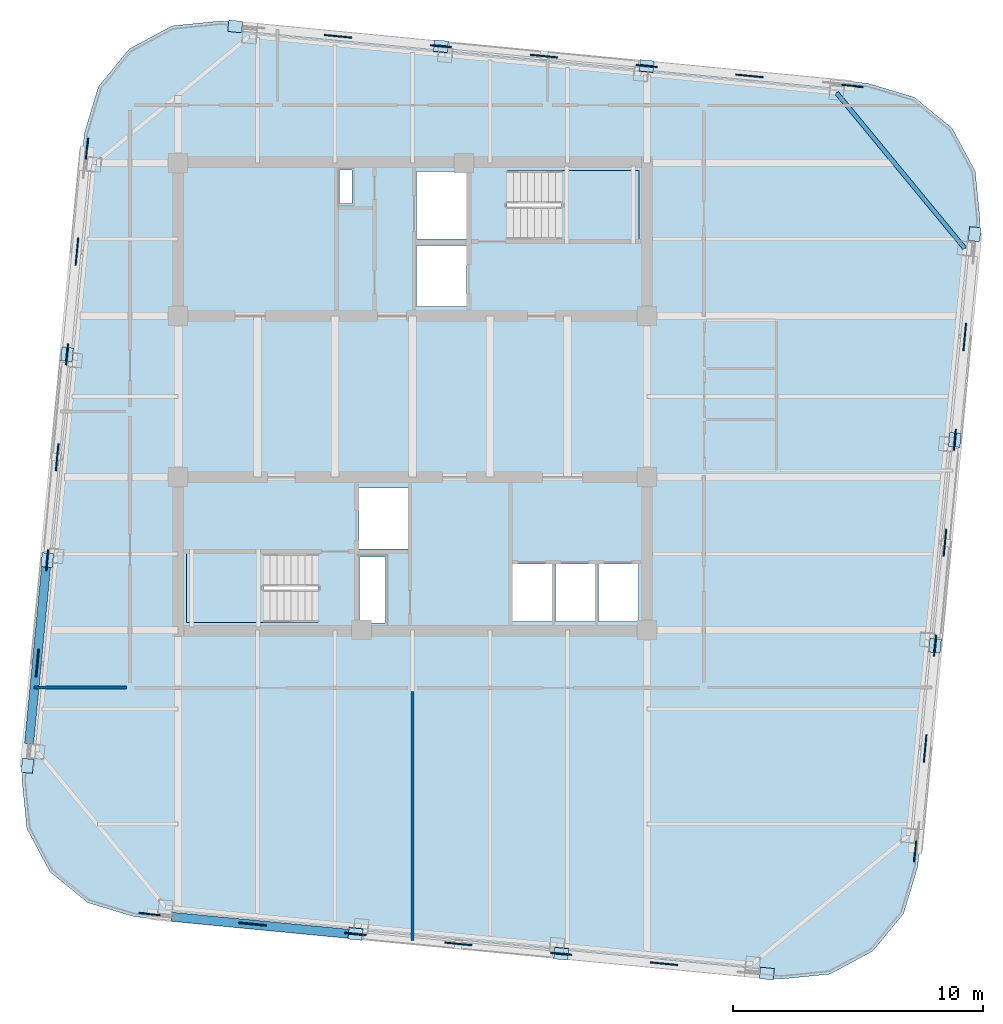
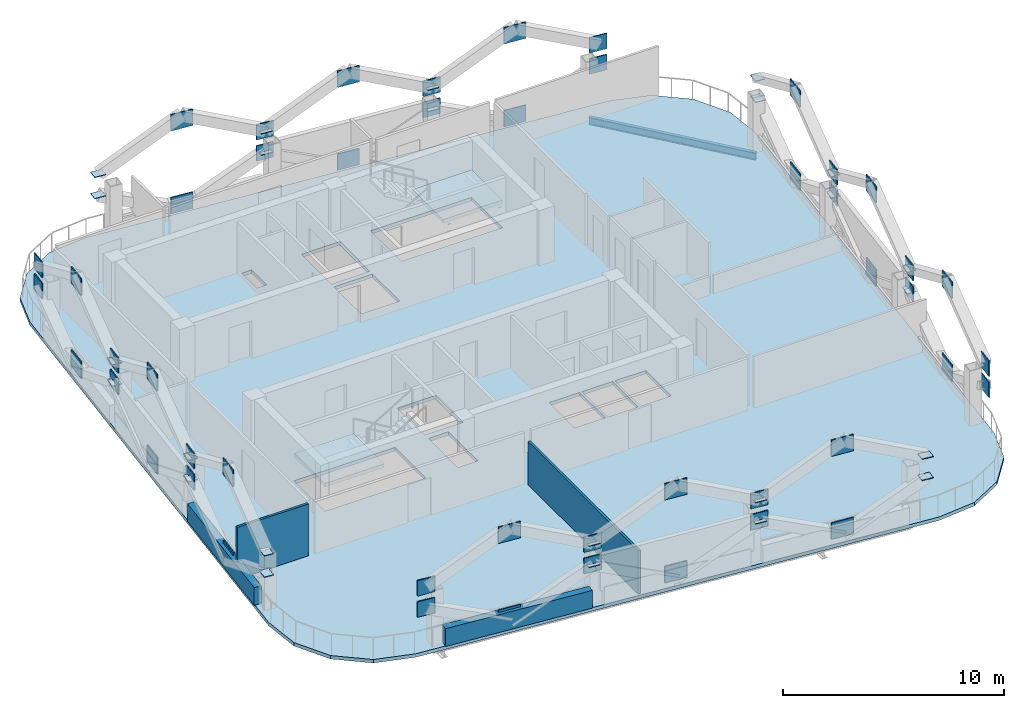
# One storey, part 3 of 10: 72 plates, 4 walls, 3 slabs, 1 beam, 2 elements without a shape of their own.
"""IFC4 building model written with IfcOpenShell, lengths in metres."""

from ifc_helpers import new_model, si_unit, direction, frame, frame_2d, origin, origin_2d, place, context, subcontext, project, spatial, polyline, rectangle, i_section, outline, extrude, material, layer, layer_set, material_profile, profile_set, type_object, element, aggregate, save


model = new_model("IFC4")

# Units and contexts
model_context = context("Model", 3, precision=1e-05, world=origin(), true_north=direction((0.0, 1.0)))
body_context = subcontext(model_context, "Body", "Model", "MODEL_VIEW")
ifc_project = project(units=[si_unit("LENGTHUNIT", "METRE"), si_unit("AREAUNIT", "SQUARE_METRE"), si_unit("VOLUMEUNIT", "CUBIC_METRE"), si_unit("PLANEANGLEUNIT", "RADIAN"), si_unit("MASSUNIT", "GRAM", prefix="KILO")], contexts=[model_context])

# Site, building, storey
site_placement = place(None, origin())
site = spatial("IfcSite", under=ifc_project, at=site_placement, CompositionType="ELEMENT")
building_placement = place(site_placement, origin())
building = spatial("IfcBuilding", under=site, at=building_placement, Name="Qhalaya Broadcast Tower", CompositionType="ELEMENT")
storey_placement = place(building_placement, frame((0.0, 0.0, 267.25)))
storey = spatial("IfcBuildingStorey", under=building, at=storey_placement, Name="L79", CompositionType="ELEMENT", Elevation=267.25)

# Beam
ifc_material_1 = material(Name="Structural Steel ASTM A992 Grade 50", Category="steel")
ifc_material_profile = material_profile(ifc_material_1, i_section(OverallWidth=0.177978515625, OverallDepth=0.406005859375, WebThickness=0.0078125, FlangeThickness=0.0126953125, at=origin_2d()), Name="W16X40")
ifc_profile_set = profile_set([ifc_material_profile], Name="Structural Steel ASTM A992 Grade 50")
beam_type = type_object("IfcBeamType", Name="Upper Perimeter Spandrel Beam SP2", PredefinedType="SPANDREL", material=ifc_profile_set)
beam_placement = place(storey_placement, frame((22.09033203125, 6.5283203125, -0.39306640625), z_axis=(-0.636070241972, 0.771631160126, 0.0), x_axis=(-0.771631160126, -0.636070241972, 0.0)))
element("IfcBeam", 1, at=beam_placement, inside=storey, type_object=beam_type, Name="L79 SP2 L79-SPR-08", PredefinedType="SPANDREL", context=body_context, shape_type="SweptSolid", body=[
    extrude(i_section(OverallWidth=0.177978515625, OverallDepth=0.406005859375, WebThickness=0.0078125, FlangeThickness=0.0126953125, at=origin_2d()), origin(), (0.0, 0.0, 1.0), 8.06103515625),
])

# Plates
ifc_material_2 = material(Name="Structural Steel ASTM A572 Grade 50", Category="steel")
ifc_layer_1 = layer(ifc_material_2, 0.054931640625, Name="Structural Steel ASTM A572 Grade 50")
ifc_layer_set_1 = layer_set([ifc_layer_1], Name="Structural Steel ASTM A572 Grade 50")
plate_type_1 = type_object("IfcPlateType", Name="Exoskeleton Diamond Node Gusset Plate NP-01", PredefinedType="USERDEFINED", material=ifc_layer_set_1)
for number, where, z_axis, x_axis, name in (
    (2, (-6.3984375, -20.505615234375, 0.2099609375), (0.0, 0.0, 1.0), (0.995396198367, -0.09584575252, 0.0), "Exoskeleton Diamond Node B6-S1-BOT"),
    (3, (-6.3984375, -20.505615234375, 4.780029296875), (0.0, 0.0, 1.0), (0.995396198367, -0.09584575252, 0.0), "Exoskeleton Diamond Node B6-S1-TOP"),
):
    element("IfcPlate", number, at=place(storey_placement, frame(where, z_axis=z_axis, x_axis=x_axis)), inside=storey, type_object=plate_type_1, Name=name, ObjectType="GUSSET_PLATE", PredefinedType="USERDEFINED", context=body_context, shape_type="SweptSolid", body=[
        extrude(rectangle(XDim=1.10009765625, YDim=0.054931640625, at=origin_2d()), origin(), (0.0, 0.0, 1.0), 0.89990234375),
    ])
for number, where, z_axis, x_axis, name in (
    (4, (-10.5126953125, -20.109375, 1.875), (0.0, 0.0, 1.0), (0.995396198367, -0.09584575252, 0.0), "Exoskeleton Diamond Node B6-S1-MDL"),
    (5, (-10.5126953125, -20.109375, 3.044921875), (0.0, 0.0, 1.0), (0.995396198367, -0.09584575252, 0.0), "Exoskeleton Diamond Node B6-S1-MDH"),
):
    element("IfcPlate", number, at=place(storey_placement, frame(where, z_axis=z_axis, x_axis=x_axis)), inside=storey, type_object=plate_type_1, Name=name, ObjectType="GUSSET_PLATE", PredefinedType="USERDEFINED", context=body_context, shape_type="SweptSolid", body=[
        extrude(rectangle(XDim=0.85009765625, YDim=0.054931640625, at=origin_2d()), origin(), (0.0, 0.0, 1.0), 0.85009765625),
    ])
for number, where, z_axis, x_axis, name in (
    (6, (1.830078125, -21.2978515625, 0.2099609375), (0.0, 0.0, 1.0), (0.995396198367, -0.09584575252, 0.0), "Exoskeleton Diamond Node B6-S2-BOT"),
    (7, (1.830078125, -21.2978515625, 4.780029296875), (0.0, 0.0, 1.0), (0.995396198367, -0.09584575252, 0.0), "Exoskeleton Diamond Node B6-S2-TOP"),
):
    element("IfcPlate", number, at=place(storey_placement, frame(where, z_axis=z_axis, x_axis=x_axis)), inside=storey, type_object=plate_type_1, Name=name, ObjectType="GUSSET_PLATE", PredefinedType="USERDEFINED", context=body_context, shape_type="SweptSolid", body=[
        extrude(rectangle(XDim=1.10009765625, YDim=0.054931640625, at=origin_2d()), origin(), (0.0, 0.0, 1.0), 0.89990234375),
    ])
for number, where, z_axis, x_axis, name in (
    (8, (-2.2841796875, -20.901611328125, 1.875), (0.0, 0.0, 1.0), (0.995396198367, -0.09584575252, 0.0), "Exoskeleton Diamond Node B6-S2-MDL"),
    (9, (-2.2841796875, -20.901611328125, 3.044921875), (0.0, 0.0, 1.0), (0.995396198367, -0.09584575252, 0.0), "Exoskeleton Diamond Node B6-S2-MDH"),
):
    element("IfcPlate", number, at=place(storey_placement, frame(where, z_axis=z_axis, x_axis=x_axis)), inside=storey, type_object=plate_type_1, Name=name, ObjectType="GUSSET_PLATE", PredefinedType="USERDEFINED", context=body_context, shape_type="SweptSolid", body=[
        extrude(rectangle(XDim=0.85009765625, YDim=0.054931640625, at=origin_2d()), origin(), (0.0, 0.0, 1.0), 0.85009765625),
    ])
for number, where, z_axis, x_axis, name in (
    (10, (10.05859375, -22.090087890625, 0.2099609375), (0.0, 0.0, 1.0), (0.995396198367, -0.09584575252, 0.0), "Exoskeleton Diamond Node B6-S3-BOT"),
    (11, (10.05859375, -22.090087890625, 4.780029296875), (0.0, 0.0, 1.0), (0.995396198367, -0.09584575252, 0.0), "Exoskeleton Diamond Node B6-S3-TOP"),
):
    element("IfcPlate", number, at=place(storey_placement, frame(where, z_axis=z_axis, x_axis=x_axis)), inside=storey, type_object=plate_type_1, Name=name, ObjectType="GUSSET_PLATE", PredefinedType="USERDEFINED", context=body_context, shape_type="SweptSolid", body=[
        extrude(rectangle(XDim=1.10009765625, YDim=0.054931640625, at=origin_2d()), origin(), (0.0, 0.0, 1.0), 0.89990234375),
    ])
for number, where, z_axis, x_axis, name in (
    (12, (5.9443359375, -21.694091796875, 1.875), (0.0, 0.0, 1.0), (0.995396198367, -0.09584575252, 0.0), "Exoskeleton Diamond Node B6-S3-MDL"),
    (13, (5.9443359375, -21.694091796875, 3.044921875), (0.0, 0.0, 1.0), (0.995396198367, -0.09584575252, 0.0), "Exoskeleton Diamond Node B6-S3-MDH"),
):
    element("IfcPlate", number, at=place(storey_placement, frame(where, z_axis=z_axis, x_axis=x_axis)), inside=storey, type_object=plate_type_1, Name=name, ObjectType="GUSSET_PLATE", PredefinedType="USERDEFINED", context=body_context, shape_type="SweptSolid", body=[
        extrude(rectangle(XDim=0.85009765625, YDim=0.054931640625, at=origin_2d()), origin(), (0.0, 0.0, 1.0), 0.85009765625),
    ])
for number, where, z_axis, x_axis, name in (
    (14, (20.505615234375, -13.478515625, 0.2099609375), (0.0, 0.0, 1.0), (0.09584575252, 0.995396198367, 0.0), "Exoskeleton Diamond Node B6-E1-BOT"),
    (15, (20.505615234375, -13.478515625, 4.780029296875), (0.0, 0.0, 1.0), (0.09584575252, 0.995396198367, 0.0), "Exoskeleton Diamond Node B6-E1-TOP"),
):
    element("IfcPlate", number, at=place(storey_placement, frame(where, z_axis=z_axis, x_axis=x_axis)), inside=storey, type_object=plate_type_1, Name=name, ObjectType="GUSSET_PLATE", PredefinedType="USERDEFINED", context=body_context, shape_type="SweptSolid", body=[
        extrude(rectangle(XDim=1.10009765625, YDim=0.054931640625, at=origin_2d()), origin(), (0.0, 0.0, 1.0), 0.89990234375),
    ])
for number, where, z_axis, x_axis, name in (
    (16, (20.109375, -17.5927734375, 1.875), (0.0, 0.0, 1.0), (0.09584575252, 0.995396198367, 0.0), "Exoskeleton Diamond Node B6-E1-MDL"),
    (17, (20.109375, -17.5927734375, 3.044921875), (0.0, 0.0, 1.0), (0.09584575252, 0.995396198367, 0.0), "Exoskeleton Diamond Node B6-E1-MDH"),
):
    element("IfcPlate", number, at=place(storey_placement, frame(where, z_axis=z_axis, x_axis=x_axis)), inside=storey, type_object=plate_type_1, Name=name, ObjectType="GUSSET_PLATE", PredefinedType="USERDEFINED", context=body_context, shape_type="SweptSolid", body=[
        extrude(rectangle(XDim=0.85009765625, YDim=0.054931640625, at=origin_2d()), origin(), (0.0, 0.0, 1.0), 0.85009765625),
    ])
for number, where, z_axis, x_axis, name in (
    (18, (21.2978515625, -5.25, 0.2099609375), (0.0, 0.0, 1.0), (0.09584575252, 0.995396198367, 0.0), "Exoskeleton Diamond Node B6-E2-BOT"),
    (19, (21.2978515625, -5.25, 4.780029296875), (0.0, 0.0, 1.0), (0.09584575252, 0.995396198367, 0.0), "Exoskeleton Diamond Node B6-E2-TOP"),
):
    element("IfcPlate", number, at=place(storey_placement, frame(where, z_axis=z_axis, x_axis=x_axis)), inside=storey, type_object=plate_type_1, Name=name, ObjectType="GUSSET_PLATE", PredefinedType="USERDEFINED", context=body_context, shape_type="SweptSolid", body=[
        extrude(rectangle(XDim=1.10009765625, YDim=0.054931640625, at=origin_2d()), origin(), (0.0, 0.0, 1.0), 0.89990234375),
    ])
for number, where, z_axis, x_axis, name in (
    (20, (20.901611328125, -9.3642578125, 1.875), (0.0, 0.0, 1.0), (0.09584575252, 0.995396198367, 0.0), "Exoskeleton Diamond Node B6-E2-MDL"),
    (21, (20.901611328125, -9.3642578125, 3.044921875), (0.0, 0.0, 1.0), (0.09584575252, 0.995396198367, 0.0), "Exoskeleton Diamond Node B6-E2-MDH"),
):
    element("IfcPlate", number, at=place(storey_placement, frame(where, z_axis=z_axis, x_axis=x_axis)), inside=storey, type_object=plate_type_1, Name=name, ObjectType="GUSSET_PLATE", PredefinedType="USERDEFINED", context=body_context, shape_type="SweptSolid", body=[
        extrude(rectangle(XDim=0.85009765625, YDim=0.054931640625, at=origin_2d()), origin(), (0.0, 0.0, 1.0), 0.85009765625),
    ])
for number, where, z_axis, x_axis, name in (
    (22, (22.090087890625, 2.978759765625, 0.2099609375), (0.0, 0.0, 1.0), (0.09584575252, 0.995396198367, 0.0), "Exoskeleton Diamond Node B6-E3-BOT"),
    (23, (22.090087890625, 2.978759765625, 4.780029296875), (0.0, 0.0, 1.0), (0.09584575252, 0.995396198367, 0.0), "Exoskeleton Diamond Node B6-E3-TOP"),
):
    element("IfcPlate", number, at=place(storey_placement, frame(where, z_axis=z_axis, x_axis=x_axis)), inside=storey, type_object=plate_type_1, Name=name, ObjectType="GUSSET_PLATE", PredefinedType="USERDEFINED", context=body_context, shape_type="SweptSolid", body=[
        extrude(rectangle(XDim=1.10009765625, YDim=0.054931640625, at=origin_2d()), origin(), (0.0, 0.0, 1.0), 0.89990234375),
    ])
for number, where, z_axis, x_axis, name in (
    (24, (21.694091796875, -1.135498046875, 1.875), (0.0, 0.0, 1.0), (0.09584575252, 0.995396198367, 0.0), "Exoskeleton Diamond Node B6-E3-MDL"),
    (25, (21.694091796875, -1.135498046875, 3.044921875), (0.0, 0.0, 1.0), (0.09584575252, 0.995396198367, 0.0), "Exoskeleton Diamond Node B6-E3-MDH"),
):
    element("IfcPlate", number, at=place(storey_placement, frame(where, z_axis=z_axis, x_axis=x_axis)), inside=storey, type_object=plate_type_1, Name=name, ObjectType="GUSSET_PLATE", PredefinedType="USERDEFINED", context=body_context, shape_type="SweptSolid", body=[
        extrude(rectangle(XDim=0.85009765625, YDim=0.054931640625, at=origin_2d()), origin(), (0.0, 0.0, 1.0), 0.85009765625),
    ])
for number, where, z_axis, x_axis, name in (
    (26, (13.478515625, 13.425537109375, 0.2099609375), (0.0, 0.0, 1.0), (0.995396198367, -0.09584575252, 0.0), "Exoskeleton Diamond Node B6-N1-BOT"),
    (27, (13.478515625, 13.425537109375, 4.780029296875), (0.0, 0.0, 1.0), (0.995396198367, -0.09584575252, 0.0), "Exoskeleton Diamond Node B6-N1-TOP"),
):
    element("IfcPlate", number, at=place(storey_placement, frame(where, z_axis=z_axis, x_axis=x_axis)), inside=storey, type_object=plate_type_1, Name=name, ObjectType="GUSSET_PLATE", PredefinedType="USERDEFINED", context=body_context, shape_type="SweptSolid", body=[
        extrude(rectangle(XDim=1.10009765625, YDim=0.054931640625, at=origin_2d()), origin(), (0.0, 0.0, 1.0), 0.89990234375),
    ])
for number, where, z_axis, x_axis, name in (
    (28, (17.5927734375, 13.029296875, 1.875), (0.0, 0.0, 1.0), (0.995396198367, -0.09584575252, 0.0), "Exoskeleton Diamond Node B6-N1-MDL"),
    (29, (17.5927734375, 13.029296875, 3.044921875), (0.0, 0.0, 1.0), (0.995396198367, -0.09584575252, 0.0), "Exoskeleton Diamond Node B6-N1-MDH"),
):
    element("IfcPlate", number, at=place(storey_placement, frame(where, z_axis=z_axis, x_axis=x_axis)), inside=storey, type_object=plate_type_1, Name=name, ObjectType="GUSSET_PLATE", PredefinedType="USERDEFINED", context=body_context, shape_type="SweptSolid", body=[
        extrude(rectangle(XDim=0.85009765625, YDim=0.054931640625, at=origin_2d()), origin(), (0.0, 0.0, 1.0), 0.85009765625),
    ])
for number, where, z_axis, x_axis, name in (
    (30, (5.25, 14.218017578125, 0.2099609375), (0.0, 0.0, 1.0), (0.995396198367, -0.09584575252, 0.0), "Exoskeleton Diamond Node B6-N2-BOT"),
    (31, (5.25, 14.218017578125, 4.780029296875), (0.0, 0.0, 1.0), (0.995396198367, -0.09584575252, 0.0), "Exoskeleton Diamond Node B6-N2-TOP"),
):
    element("IfcPlate", number, at=place(storey_placement, frame(where, z_axis=z_axis, x_axis=x_axis)), inside=storey, type_object=plate_type_1, Name=name, ObjectType="GUSSET_PLATE", PredefinedType="USERDEFINED", context=body_context, shape_type="SweptSolid", body=[
        extrude(rectangle(XDim=1.10009765625, YDim=0.054931640625, at=origin_2d()), origin(), (0.0, 0.0, 1.0), 0.89990234375),
    ])
for number, where, z_axis, x_axis, name in (
    (32, (9.3642578125, 13.82177734375, 1.875), (0.0, 0.0, 1.0), (0.995396198367, -0.09584575252, 0.0), "Exoskeleton Diamond Node B6-N2-MDL"),
    (33, (9.3642578125, 13.82177734375, 3.044921875), (0.0, 0.0, 1.0), (0.995396198367, -0.09584575252, 0.0), "Exoskeleton Diamond Node B6-N2-MDH"),
):
    element("IfcPlate", number, at=place(storey_placement, frame(where, z_axis=z_axis, x_axis=x_axis)), inside=storey, type_object=plate_type_1, Name=name, ObjectType="GUSSET_PLATE", PredefinedType="USERDEFINED", context=body_context, shape_type="SweptSolid", body=[
        extrude(rectangle(XDim=0.85009765625, YDim=0.054931640625, at=origin_2d()), origin(), (0.0, 0.0, 1.0), 0.85009765625),
    ])
for number, where, z_axis, x_axis, name in (
    (34, (-2.978759765625, 15.01025390625, 0.2099609375), (0.0, 0.0, 1.0), (0.995396198367, -0.09584575252, 0.0), "Exoskeleton Diamond Node B6-N3-BOT"),
    (35, (-2.978759765625, 15.01025390625, 4.780029296875), (0.0, 0.0, 1.0), (0.995396198367, -0.09584575252, 0.0), "Exoskeleton Diamond Node B6-N3-TOP"),
):
    element("IfcPlate", number, at=place(storey_placement, frame(where, z_axis=z_axis, x_axis=x_axis)), inside=storey, type_object=plate_type_1, Name=name, ObjectType="GUSSET_PLATE", PredefinedType="USERDEFINED", context=body_context, shape_type="SweptSolid", body=[
        extrude(rectangle(XDim=1.10009765625, YDim=0.054931640625, at=origin_2d()), origin(), (0.0, 0.0, 1.0), 0.89990234375),
    ])
for number, where, z_axis, x_axis, name in (
    (36, (1.135498046875, 14.614013671875, 1.875), (0.0, 0.0, 1.0), (0.995396198367, -0.09584575252, 0.0), "Exoskeleton Diamond Node B6-N3-MDL"),
    (37, (1.135498046875, 14.614013671875, 3.044921875), (0.0, 0.0, 1.0), (0.995396198367, -0.09584575252, 0.0), "Exoskeleton Diamond Node B6-N3-MDH"),
):
    element("IfcPlate", number, at=place(storey_placement, frame(where, z_axis=z_axis, x_axis=x_axis)), inside=storey, type_object=plate_type_1, Name=name, ObjectType="GUSSET_PLATE", PredefinedType="USERDEFINED", context=body_context, shape_type="SweptSolid", body=[
        extrude(rectangle(XDim=0.85009765625, YDim=0.054931640625, at=origin_2d()), origin(), (0.0, 0.0, 1.0), 0.85009765625),
    ])
for number, where, z_axis, x_axis, name in (
    (38, (-13.425537109375, 6.3984375, 0.2099609375), (0.0, 0.0, 1.0), (0.09584575252, 0.995396198367, 0.0), "Exoskeleton Diamond Node B6-W1-BOT"),
    (39, (-13.425537109375, 6.3984375, 4.780029296875), (0.0, 0.0, 1.0), (0.09584575252, 0.995396198367, 0.0), "Exoskeleton Diamond Node B6-W1-TOP"),
):
    element("IfcPlate", number, at=place(storey_placement, frame(where, z_axis=z_axis, x_axis=x_axis)), inside=storey, type_object=plate_type_1, Name=name, ObjectType="GUSSET_PLATE", PredefinedType="USERDEFINED", context=body_context, shape_type="SweptSolid", body=[
        extrude(rectangle(XDim=1.10009765625, YDim=0.054931640625, at=origin_2d()), origin(), (0.0, 0.0, 1.0), 0.89990234375),
    ])
for number, where, z_axis, x_axis, name in (
    (40, (-13.029296875, 10.5126953125, 1.875), (0.0, 0.0, 1.0), (0.09584575252, 0.995396198367, 0.0), "Exoskeleton Diamond Node B6-W1-MDL"),
    (41, (-13.029296875, 10.5126953125, 3.044921875), (0.0, 0.0, 1.0), (0.09584575252, 0.995396198367, 0.0), "Exoskeleton Diamond Node B6-W1-MDH"),
):
    element("IfcPlate", number, at=place(storey_placement, frame(where, z_axis=z_axis, x_axis=x_axis)), inside=storey, type_object=plate_type_1, Name=name, ObjectType="GUSSET_PLATE", PredefinedType="USERDEFINED", context=body_context, shape_type="SweptSolid", body=[
        extrude(rectangle(XDim=0.85009765625, YDim=0.054931640625, at=origin_2d()), origin(), (0.0, 0.0, 1.0), 0.85009765625),
    ])
for number, where, z_axis, x_axis, name in (
    (42, (-14.218017578125, -1.830078125, 0.2099609375), (0.0, 0.0, 1.0), (0.09584575252, 0.995396198367, 0.0), "Exoskeleton Diamond Node B6-W2-BOT"),
    (43, (-14.218017578125, -1.830078125, 4.780029296875), (0.0, 0.0, 1.0), (0.09584575252, 0.995396198367, 0.0), "Exoskeleton Diamond Node B6-W2-TOP"),
):
    element("IfcPlate", number, at=place(storey_placement, frame(where, z_axis=z_axis, x_axis=x_axis)), inside=storey, type_object=plate_type_1, Name=name, ObjectType="GUSSET_PLATE", PredefinedType="USERDEFINED", context=body_context, shape_type="SweptSolid", body=[
        extrude(rectangle(XDim=1.10009765625, YDim=0.054931640625, at=origin_2d()), origin(), (0.0, 0.0, 1.0), 0.89990234375),
    ])
for number, where, z_axis, x_axis, name in (
    (44, (-13.82177734375, 2.2841796875, 1.875), (0.0, 0.0, 1.0), (0.09584575252, 0.995396198367, 0.0), "Exoskeleton Diamond Node B6-W2-MDL"),
    (45, (-13.82177734375, 2.2841796875, 3.044921875), (0.0, 0.0, 1.0), (0.09584575252, 0.995396198367, 0.0), "Exoskeleton Diamond Node B6-W2-MDH"),
):
    element("IfcPlate", number, at=place(storey_placement, frame(where, z_axis=z_axis, x_axis=x_axis)), inside=storey, type_object=plate_type_1, Name=name, ObjectType="GUSSET_PLATE", PredefinedType="USERDEFINED", context=body_context, shape_type="SweptSolid", body=[
        extrude(rectangle(XDim=0.85009765625, YDim=0.054931640625, at=origin_2d()), origin(), (0.0, 0.0, 1.0), 0.85009765625),
    ])
for number, where, z_axis, x_axis, name in (
    (46, (-15.01025390625, -10.05859375, 0.2099609375), (0.0, 0.0, 1.0), (0.09584575252, 0.995396198367, 0.0), "Exoskeleton Diamond Node B6-W3-BOT"),
    (47, (-15.01025390625, -10.05859375, 4.780029296875), (0.0, 0.0, 1.0), (0.09584575252, 0.995396198367, 0.0), "Exoskeleton Diamond Node B6-W3-TOP"),
):
    element("IfcPlate", number, at=place(storey_placement, frame(where, z_axis=z_axis, x_axis=x_axis)), inside=storey, type_object=plate_type_1, Name=name, ObjectType="GUSSET_PLATE", PredefinedType="USERDEFINED", context=body_context, shape_type="SweptSolid", body=[
        extrude(rectangle(XDim=1.10009765625, YDim=0.054931640625, at=origin_2d()), origin(), (0.0, 0.0, 1.0), 0.89990234375),
    ])
for number, where, z_axis, x_axis, name in (
    (48, (-14.614013671875, -5.9443359375, 1.875), (0.0, 0.0, 1.0), (0.09584575252, 0.995396198367, 0.0), "Exoskeleton Diamond Node B6-W3-MDL"),
    (49, (-14.614013671875, -5.9443359375, 3.044921875), (0.0, 0.0, 1.0), (0.09584575252, 0.995396198367, 0.0), "Exoskeleton Diamond Node B6-W3-MDH"),
):
    element("IfcPlate", number, at=place(storey_placement, frame(where, z_axis=z_axis, x_axis=x_axis)), inside=storey, type_object=plate_type_1, Name=name, ObjectType="GUSSET_PLATE", PredefinedType="USERDEFINED", context=body_context, shape_type="SweptSolid", body=[
        extrude(rectangle(XDim=0.85009765625, YDim=0.054931640625, at=origin_2d()), origin(), (0.0, 0.0, 1.0), 0.85009765625),
    ])
ifc_layer_2 = layer(ifc_material_2, 0.4599609375, Name="Structural Steel ASTM A572 Grade 50")
ifc_layer_set_2 = layer_set([ifc_layer_2], Name="Structural Steel ASTM A572 Grade 50")
plate_type_2 = type_object("IfcPlateType", Name="Hollow Box Member End Cap Plate CP-01", PredefinedType="USERDEFINED", material=ifc_layer_set_2)
for number, where, z_axis, x_axis, name in (
    (50, (-2.2841796875, -20.901611328125, 2.2841796875), (0.0, 0.0, 1.0), (0.995396198367, -0.09584575252, 0.0), "Exoskeleton Hollow End Cap B6-S1-MDLR"),
    (51, (-2.2841796875, -20.901611328125, 3.4541015625), (0.0, 0.0, 1.0), (0.995396198367, -0.09584575252, 0.0), "Exoskeleton Hollow End Cap B6-S1-MDHR"),
    (52, (5.9443359375, -21.694091796875, 2.2841796875), (0.0, 0.0, 1.0), (0.995396198367, -0.09584575252, 0.0), "Exoskeleton Hollow End Cap B6-S2-MDLR"),
    (53, (5.9443359375, -21.694091796875, 3.4541015625), (0.0, 0.0, 1.0), (0.995396198367, -0.09584575252, 0.0), "Exoskeleton Hollow End Cap B6-S2-MDHR"),
    (54, (14.173095703125, -22.486328125, 2.2841796875), (0.0, 0.0, 1.0), (0.995396198367, -0.09584575252, 0.0), "Exoskeleton Hollow End Cap B6-S3-MDLR"),
    (55, (14.173095703125, -22.486328125, 3.4541015625), (0.0, 0.0, 1.0), (0.995396198367, -0.09584575252, 0.0), "Exoskeleton Hollow End Cap B6-S3-MDHR"),
    (56, (20.901611328125, -9.3642578125, 2.2841796875), (0.0, 0.0, 1.0), (0.09584575252, 0.995396198367, 0.0), "Exoskeleton Hollow End Cap B6-E1-MDLR"),
    (57, (20.901611328125, -9.3642578125, 3.4541015625), (0.0, 0.0, 1.0), (0.09584575252, 0.995396198367, 0.0), "Exoskeleton Hollow End Cap B6-E1-MDHR"),
    (58, (21.694091796875, -1.135498046875, 2.2841796875), (0.0, 0.0, 1.0), (0.09584575252, 0.995396198367, 0.0), "Exoskeleton Hollow End Cap B6-E2-MDLR"),
    (59, (21.694091796875, -1.135498046875, 3.4541015625), (0.0, 0.0, 1.0), (0.09584575252, 0.995396198367, 0.0), "Exoskeleton Hollow End Cap B6-E2-MDHR"),
    (60, (22.486328125, 7.093017578125, 2.2841796875), (0.0, 0.0, 1.0), (0.09584575252, 0.995396198367, 0.0), "Exoskeleton Hollow End Cap B6-E3-MDLR"),
    (61, (22.486328125, 7.093017578125, 3.4541015625), (0.0, 0.0, 1.0), (0.09584575252, 0.995396198367, 0.0), "Exoskeleton Hollow End Cap B6-E3-MDHR"),
    (62, (9.3642578125, 13.82177734375, 2.2841796875), (0.0, 0.0, 1.0), (0.995396198367, -0.09584575252, 0.0), "Exoskeleton Hollow End Cap B6-N1-MDLR"),
    (63, (9.3642578125, 13.82177734375, 3.4541015625), (0.0, 0.0, 1.0), (0.995396198367, -0.09584575252, 0.0), "Exoskeleton Hollow End Cap B6-N1-MDHR"),
    (64, (1.135498046875, 14.614013671875, 2.2841796875), (0.0, 0.0, 1.0), (0.995396198367, -0.09584575252, 0.0), "Exoskeleton Hollow End Cap B6-N2-MDLR"),
    (65, (1.135498046875, 14.614013671875, 3.4541015625), (0.0, 0.0, 1.0), (0.995396198367, -0.09584575252, 0.0), "Exoskeleton Hollow End Cap B6-N2-MDHR"),
    (66, (-7.093017578125, 15.406494140625, 2.2841796875), (0.0, 0.0, 1.0), (0.995396198367, -0.09584575252, 0.0), "Exoskeleton Hollow End Cap B6-N3-MDLR"),
    (67, (-7.093017578125, 15.406494140625, 3.4541015625), (0.0, 0.0, 1.0), (0.995396198367, -0.09584575252, 0.0), "Exoskeleton Hollow End Cap B6-N3-MDHR"),
    (68, (-13.82177734375, 2.2841796875, 2.2841796875), (0.0, 0.0, 1.0), (0.09584575252, 0.995396198367, 0.0), "Exoskeleton Hollow End Cap B6-W1-MDLR"),
    (69, (-13.82177734375, 2.2841796875, 3.4541015625), (0.0, 0.0, 1.0), (0.09584575252, 0.995396198367, 0.0), "Exoskeleton Hollow End Cap B6-W1-MDHR"),
    (70, (-14.614013671875, -5.9443359375, 2.2841796875), (0.0, 0.0, 1.0), (0.09584575252, 0.995396198367, 0.0), "Exoskeleton Hollow End Cap B6-W2-MDLR"),
    (71, (-14.614013671875, -5.9443359375, 3.4541015625), (0.0, 0.0, 1.0), (0.09584575252, 0.995396198367, 0.0), "Exoskeleton Hollow End Cap B6-W2-MDHR"),
    (72, (-15.406494140625, -14.173095703125, 2.2841796875), (0.0, 0.0, 1.0), (0.09584575252, 0.995396198367, 0.0), "Exoskeleton Hollow End Cap B6-W3-MDLR"),
    (73, (-15.406494140625, -14.173095703125, 3.4541015625), (0.0, 0.0, 1.0), (0.09584575252, 0.995396198367, 0.0), "Exoskeleton Hollow End Cap B6-W3-MDHR"),
):
    element("IfcPlate", number, at=place(storey_placement, frame(where, z_axis=z_axis, x_axis=x_axis)), inside=storey, type_object=plate_type_2, Name=name, ObjectType="COVER_PLATE", PredefinedType="USERDEFINED", context=body_context, shape_type="SweptSolid", body=[
        extrude(rectangle(XDim=0.56005859375, YDim=0.4599609375, at=origin_2d()), origin(), (0.0, 0.0, 1.0), 0.031982421875),
    ])

# Stair, slab
ifc_material_3 = material(Name="Concrete C40/50", Category="concrete")
stair_type = type_object("IfcStairType", Name="Protected Dogleg Core Stair 3150", PredefinedType="TWO_STRAIGHT_RUN_STAIR", material=ifc_material_3)
stair_1_placement = place(storey_placement, origin())
stair_1 = element("IfcStair", 74, at=stair_1_placement, inside=storey, type_object=stair_type, Name="L79 North Core Exit Stair ST-1", PredefinedType="TWO_STRAIGHT_RUN_STAIR")
ifc_layer_3 = layer(ifc_material_3, 0.199951171875, Name="Concrete C40/50")
ifc_layer_set_3 = layer_set([ifc_layer_3], Name="Concrete C40/50")
slab_type_1 = type_object("IfcSlabType", Name="Stair & Ramp Half-Landing Slab 200", PredefinedType="LANDING", material=ifc_layer_set_3)
slab_1_placement = place(storey_placement, frame((0.0, 0.0, 1.324951171875)))
slab_1 = element("IfcSlab", 75, at=slab_1_placement, type_object=slab_type_1, Name="ST-1 landing 1", PredefinedType="LANDING", context=body_context, shape_type="SweptSolid", body=[
    extrude(outline(polyline([(5.955078125, 6.8798828125), (9.050048828125, 6.8798828125), (9.050048828125, 9.639892578125), (5.955078125, 9.639892578125), (5.955078125, 6.8798828125)])), origin(), (0.0, 0.0, 1.0), 0.199951171875),
])
aggregate(stair_1, [slab_1])

stair_2_placement = place(storey_placement, origin())
stair_2 = element("IfcStair", 76, at=stair_2_placement, inside=storey, type_object=stair_type, Name="L79 South Core Exit Stair ST-2", PredefinedType="TWO_STRAIGHT_RUN_STAIR")
slab_2_placement = place(storey_placement, frame((0.0, 0.0, 1.324951171875)))
slab_2 = element("IfcSlab", 77, at=slab_2_placement, type_object=slab_type_1, Name="ST-2 landing 1", PredefinedType="LANDING", context=body_context, shape_type="SweptSolid", body=[
    extrude(outline(polyline([(-5.955078125, -5.679931640625), (-9.050048828125, -5.679931640625), (-9.050048828125, -8.43994140625), (-5.955078125, -8.43994140625), (-5.955078125, -5.679931640625)])), origin(), (0.0, 0.0, 1.0), 0.199951171875),
])
aggregate(stair_2, [slab_2])

# Slab
ifc_layer_4 = layer(ifc_material_3, 0.18994140625, Name="Concrete C40/50")
ifc_layer_set_4 = layer_set([ifc_layer_4], Name="Concrete C40/50")
slab_type_2 = type_object("IfcSlabType", Name="Upper Tower Composite Floor Slab 190", PredefinedType="FLOOR", material=ifc_layer_set_4)
slab_3_placement = place(storey_placement, frame((0.0, 0.0, -0.18994140625)))
element("IfcSlab", 78, at=slab_3_placement, inside=storey, type_object=slab_type_2, Name="L79 Main Structural Floor Slab", PredefinedType="FLOOR", context=body_context, shape_type="SweptSolid", body=[
    extrude(outline(polyline([(14.7548828125, -22.703125), (16.696044921875, -22.5078125), (18.41455078125, -21.584228515625), (19.64892578125, -20.073486328125), (20.211181640625, -18.205322265625), (22.703125, 7.6748046875), (22.5078125, 9.615966796875), (21.584228515625, 11.33447265625), (20.073486328125, 12.56884765625), (18.205322265625, 13.131103515625), (-7.6748046875, 15.623046875), (-9.615966796875, 15.427734375), (-11.33447265625, 14.50439453125), (-12.56884765625, 12.993408203125), (-13.131103515625, 11.12548828125), (-15.623046875, -14.7548828125), (-15.427734375, -16.696044921875), (-14.50439453125, -18.41455078125), (-12.993408203125, -19.64892578125), (-11.12548828125, -20.211181640625), (14.7548828125, -22.703125)]), holes=[polyline([(3.784912109375, 9.639892578125), (9.050048828125, 9.639892578125), (9.050048828125, 6.8798828125), (3.784912109375, 6.8798828125), (3.784912109375, 9.639892578125)]), polyline([(-3.784912109375, -8.43994140625), (-9.050048828125, -8.43994140625), (-9.050048828125, -5.679931640625), (-3.784912109375, -5.679931640625), (-3.784912109375, -8.43994140625)]), polyline([(0.14990234375, 6.64990234375), (2.14990234375, 6.64990234375), (2.14990234375, 4.199951171875), (0.14990234375, 4.199951171875), (0.14990234375, 6.64990234375)]), polyline([(0.14990234375, 9.60009765625), (2.14990234375, 9.60009765625), (2.14990234375, 6.89990234375), (0.14990234375, 6.89990234375), (0.14990234375, 9.60009765625)]), polyline([(-2.14990234375, -3.050048828125), (-0.14990234375, -3.050048828125), (-0.14990234375, -5.5), (-2.14990234375, -5.5), (-2.14990234375, -3.050048828125)]), polyline([(4.0, -6.10009765625), (5.60009765625, -6.10009765625), (5.60009765625, -8.39990234375), (4.0, -8.39990234375), (4.0, -6.10009765625)]), polyline([(5.719970703125, -6.10009765625), (7.320068359375, -6.10009765625), (7.320068359375, -8.39990234375), (5.719970703125, -8.39990234375), (5.719970703125, -6.10009765625)]), polyline([(7.43994140625, -6.10009765625), (9.0400390625, -6.10009765625), (9.0400390625, -8.39990234375), (7.43994140625, -8.39990234375), (7.43994140625, -6.10009765625)]), polyline([(-2.919921875, 9.659912109375), (-2.419921875, 9.659912109375), (-2.419921875, 8.320068359375), (-2.919921875, 8.320068359375), (-2.919921875, 9.659912109375)]), polyline([(-2.1201171875, -5.820068359375), (-1.080078125, -5.820068359375), (-1.080078125, -8.4599609375), (-2.1201171875, -8.4599609375), (-2.1201171875, -5.820068359375)])]), origin(), (0.0, 0.0, 1.0), 0.18994140625),
])

# Walls
ifc_material_4 = material(Name="Precast Concrete C40/50", Category="concrete")
ifc_layer_5 = layer(ifc_material_4, 0.360107421875, Name="Precast Concrete C40/50")
ifc_layer_set_5 = layer_set([ifc_layer_5], Name="Precast Concrete C40/50")
wall_type_1 = type_object("IfcWallType", Name="Insulated Precast Terracotta Exterior Wall 360", PredefinedType="SOLIDWALL", material=ifc_layer_set_5)
wall_1_placement = place(storey_placement, frame((-2.385498046875, -20.912109375, 0.0), z_axis=(0.0, 0.0, 1.0), x_axis=(-0.99539482255, 0.095860039857, 0.0)))
element("IfcWall", 79, at=wall_1_placement, inside=storey, type_object=wall_type_1, Name="L79 Exoskeleton Diagrid Infill Wall S3", PredefinedType="SOLIDWALL", context=body_context, shape_type="SweptSolid", body=[
    extrude(rectangle(XDim=7.27880859375, YDim=0.360107421875, at=frame_2d((3.639404296875, 0.0))), origin(), (0.0, 0.0, 1.0), 0.97998046875),
])
wall_2_placement = place(storey_placement, frame((-15.34130859375, -13.287109375, 0.0), z_axis=(0.0, 0.0, 1.0), x_axis=(0.095863240394, 0.995394514321, 0.0)))
element("IfcWall", 80, at=wall_2_placement, inside=storey, type_object=wall_type_1, Name="L79 Exoskeleton Diagrid Infill Wall W1", PredefinedType="SOLIDWALL", context=body_context, shape_type="SweptSolid", body=[
    extrude(rectangle(XDim=7.278564453125, YDim=0.360107421875, at=frame_2d((3.63916015625, 0.0))), origin(), (0.0, 0.0, 1.0), 0.97998046875),
])
ifc_material_5 = material(Name="Gypsum Acoustic Partition")
ifc_layer_6 = layer(ifc_material_5, 0.1201171875, Name="Gypsum Acoustic Partition")
ifc_layer_set_6 = layer_set([ifc_layer_6], Name="Gypsum Acoustic Partition")
wall_type_2 = type_object("IfcWallType", Name="Office, Booth & Sanitary Partition 120", PredefinedType="PARTITIONING", material=ifc_layer_set_6)
wall_3_placement = place(storey_placement, frame((-15.145751953125, -11.050048828125, 0.0), z_axis=(0.0, 0.0, 1.0), x_axis=(1.0, 0.0, 0.0)))
element("IfcWall", 81, at=wall_3_placement, inside=storey, type_object=wall_type_2, Name="L79 Partition Wall W-BNDW2", PredefinedType="PARTITIONING", context=body_context, shape_type="SweptSolid", body=[
    extrude(rectangle(XDim=3.705810546875, YDim=0.1201171875, at=frame_2d((1.85302734375, 0.0))), origin(), (0.0, 0.0, 1.0), 2.860107421875),
])
wall_4_placement = place(storey_placement, frame((0.0, -21.161865234375, 0.0), z_axis=(0.0, 0.0, 1.0), x_axis=(0.0, 1.0, 0.0)))
element("IfcWall", 82, at=wall_4_placement, inside=storey, type_object=wall_type_2, Name="L79 Partition Wall W-DIVS1", PredefinedType="PARTITIONING", context=body_context, shape_type="SweptSolid", body=[
    extrude(rectangle(XDim=9.951904296875, YDim=0.1201171875, at=frame_2d((4.97607421875, 0.0))), origin(), (0.0, 0.0, 1.0), 2.381103515625),
])

save(model, "model.ifc")
